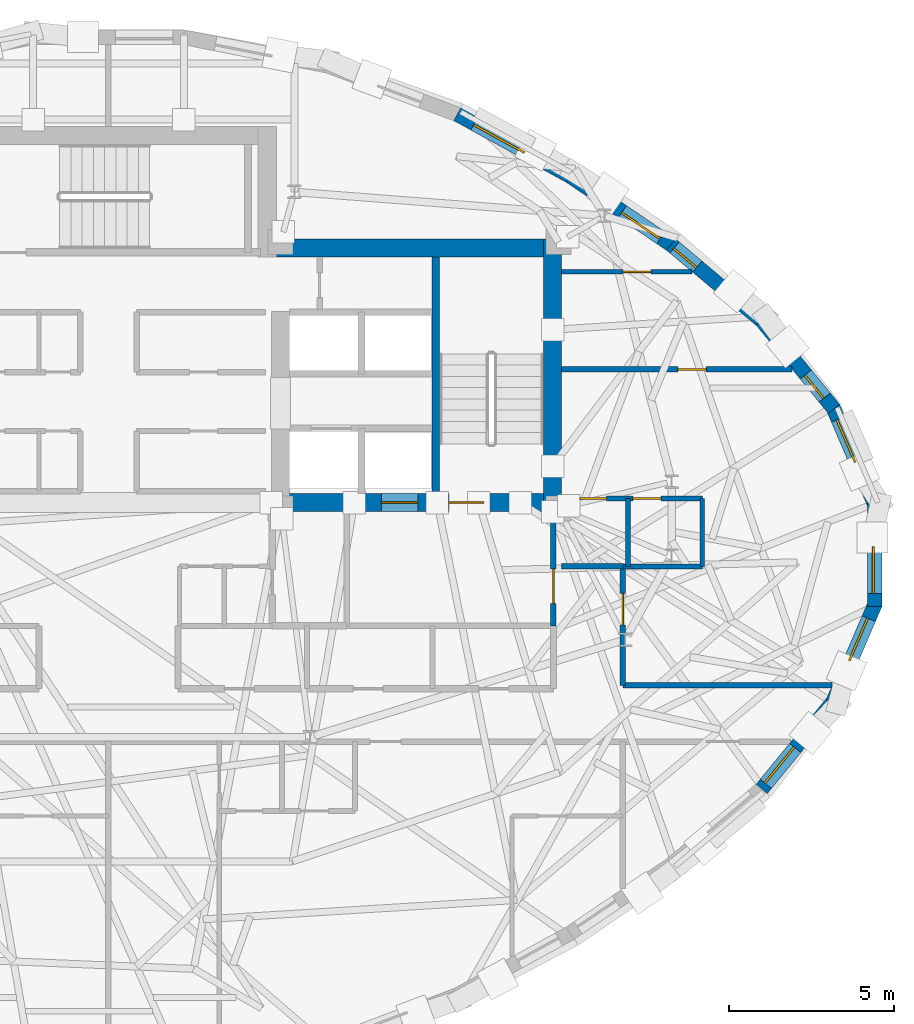
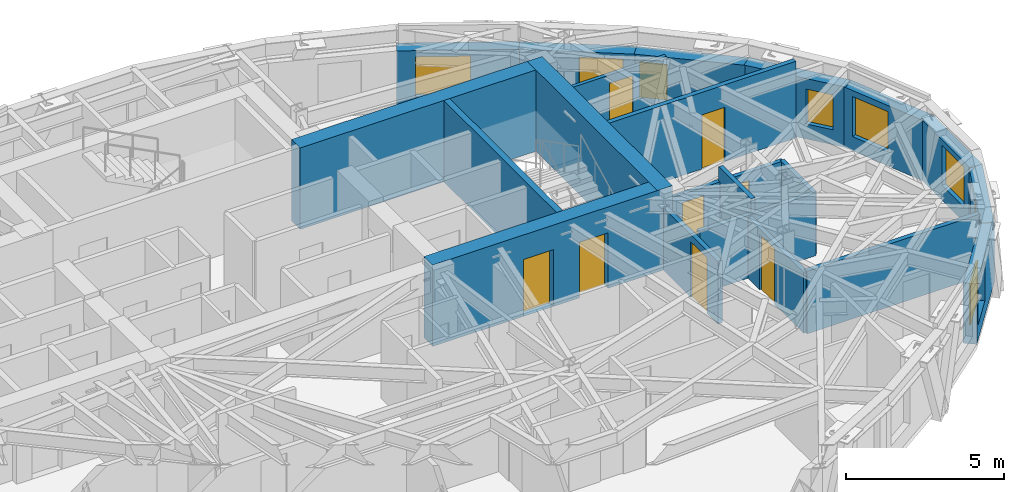
# One storey, part 10 of 14: 22 walls, 8 doors, 8 windows, 16 openings.
"""IFC4 building model written with IfcOpenShell, lengths in metres."""

from ifc_helpers import new_model, si_unit, direction, frame, frame_2d, origin, place, context, subcontext, project, spatial, rectangle, extrude, material, layer, layer_set, type_object, element, fill, save


model = new_model("IFC4")

# Units and contexts
model_context = context("Model", 3, precision=1e-05, world=origin(), true_north=direction((0.0, 1.0)))
body_context = subcontext(model_context, "Body", "Model", "MODEL_VIEW")
ifc_project = project(units=[si_unit("LENGTHUNIT", "METRE"), si_unit("AREAUNIT", "SQUARE_METRE"), si_unit("VOLUMEUNIT", "CUBIC_METRE"), si_unit("PLANEANGLEUNIT", "RADIAN"), si_unit("MASSUNIT", "GRAM", prefix="KILO")], contexts=[model_context])

# Site, building, storey
site_placement = place(None, origin())
site = spatial("IfcSite", under=ifc_project, at=site_placement, CompositionType="ELEMENT")
building_placement = place(site_placement, origin())
building = spatial("IfcBuilding", under=site, at=building_placement, Name="Keldmark Tower", CompositionType="ELEMENT")
storey_placement = place(building_placement, frame((0.0, 0.0, 216.300048828125)))
storey = spatial("IfcBuildingStorey", under=building, at=storey_placement, Name="L60", CompositionType="ELEMENT", Elevation=216.300048828125)

# Walls
ifc_material_1 = material(Name="Concrete C50/60", Category="concrete")
ifc_layer_1 = layer(ifc_material_1, 0.550048828125)
ifc_layer_set_1 = layer_set([ifc_layer_1], Name="Concrete C50/60")
wall_type_1 = type_object("IfcWallType", Name="High-Rise Core Shear Wall 550 mm", PredefinedType="SHEAR", material=ifc_layer_set_1)
wall_1_placement = place(storey_placement, frame((13.425048828125, 1.300048828125, 0.0), z_axis=(0.0, 0.0, 1.0), x_axis=(0.0, 1.0, 0.0)))
element("IfcWall", 1, at=wall_1_placement, inside=storey, type_object=wall_type_1, Name="L60 East Core Outer Shear Wall", PredefinedType="SHEAR", context=body_context, shape_type="SweptSolid", body=[
    extrude(rectangle(XDim=8.25, YDim=0.550048828125, at=frame_2d((4.125, 0.0))), origin(), (0.0, 0.0, 1.0), 3.14990234375),
])
wall_2_placement = place(storey_placement, frame((4.52490234375, 9.27490234375, 0.0), z_axis=(0.0, 0.0, 1.0), x_axis=(1.0, 0.0, 0.0)))
element("IfcWall", 2, at=wall_2_placement, inside=storey, type_object=wall_type_1, Name="L60 East Core North Shear Wall", PredefinedType="SHEAR", context=body_context, shape_type="SweptSolid", body=[
    extrude(rectangle(XDim=9.175048828125, YDim=0.550048828125, at=frame_2d((4.58740234375, 0.0))), origin(), (0.0, 0.0, 1.0), 3.14990234375),
])

# Wall, openings, doors
wall_3_placement = place(storey_placement, frame((13.699951171875, 1.574951171875, 0.0), z_axis=(0.0, 0.0, 1.0), x_axis=(-1.0, 0.0, 0.0)))
wall_3 = element("IfcWall", 3, at=wall_3_placement, inside=storey, type_object=wall_type_1, Name="L60 East Core South Shear Wall", PredefinedType="SHEAR", context=body_context, shape_type="SweptSolid", body=[
    extrude(rectangle(XDim=8.77490234375, YDim=0.550048828125, at=frame_2d((4.387451171875, 0.0))), origin(), (0.0, 0.0, 1.0), 3.14990234375),
])
opening_1_placement = place(wall_3_placement, frame((2.35009765625, 0.0, 0.0)))
opening_1 = element("IfcOpeningElement", 4, at=opening_1_placement, cuts=wall_3, Name="Opening D-ST105", PredefinedType="OPENING", context=body_context, shape_type="SweptSolid", body=[
    extrude(rectangle(XDim=1.050048828125, YDim=2.14990234375, at=frame_2d((0.52490234375, 1.074951171875))), frame((0.0, 0.284912109375, 0.0), z_axis=(0.0, -1.0, 0.0), x_axis=(1.0, 0.0, 0.0)), (0.0, 0.0, 1.0), 0.570068359375),
])
opening_2_placement = place(wall_3_placement, frame((4.35009765625, 0.0, 0.0)))
opening_2 = element("IfcOpeningElement", 5, at=opening_2_placement, cuts=wall_3, Name="Opening LD-110", PredefinedType="OPENING", context=body_context, shape_type="SweptSolid", body=[
    extrude(rectangle(XDim=1.10009765625, YDim=2.199951171875, at=frame_2d((0.550048828125, 1.10009765625))), frame((0.0, 0.284912109375, 0.0), z_axis=(0.0, -1.0, 0.0), x_axis=(1.0, 0.0, 0.0)), (0.0, 0.0, 1.0), 0.570068359375),
])
ifc_material_2 = material(Name="Brushed Bronze Hoistway Sliding Leaf", Category="metal")
door_type_1 = type_object("IfcDoorType", Name="Lift Landing Sliding Door 1100x2200", OperationType="SLIDING_TO_LEFT", PredefinedType="DOOR", material=ifc_material_2)
door_1_placement = place(opening_2_placement, origin())
door_1 = element("IfcDoor", 6, at=door_1_placement, inside=storey, type_object=door_type_1, Name="L60 Lift Landing Sliding Door 1100x2200 LD-EL-FS2-L60", OperationType="SLIDING_TO_LEFT", OverallHeight=2.199951171875, OverallWidth=1.10009765625, PredefinedType="DOOR", context=body_context, shape_type="SweptSolid", body=[
    extrude(rectangle(XDim=1.10009765625, YDim=2.199951171875, at=frame_2d((0.550048828125, 1.10009765625))), frame((0.0, 0.02490234375, 0.0), z_axis=(0.0, -1.0, 0.0), x_axis=(1.0, 0.0, 0.0)), (0.0, 0.0, 1.0), 0.050048828125),
])
fill(opening_2, door_1)
ifc_material_3 = material(Name="Hollow Metal Fire-Rated Door Assembly", Category="metal")
door_type_2 = type_object("IfcDoorType", Name="Stair Fire Door 1050x2150", OperationType="NOTDEFINED", PredefinedType="DOOR", material=ifc_material_3)
door_2_placement = place(opening_1_placement, origin())
door_2 = element("IfcDoor", 7, at=door_2_placement, inside=storey, type_object=door_type_2, Name="L60 Stair Fire Door 1050x2150 D-ST2-L60", OperationType="SINGLE_SWING_LEFT", OverallHeight=2.14990234375, OverallWidth=1.050048828125, PredefinedType="DOOR", context=body_context, shape_type="SweptSolid", body=[
    extrude(rectangle(XDim=1.050048828125, YDim=2.14990234375, at=frame_2d((0.52490234375, 1.074951171875))), frame((0.0, 0.02490234375, 0.0), z_axis=(0.0, -1.0, 0.0), x_axis=(1.0, 0.0, 0.0)), (0.0, 0.0, 1.0), 0.050048828125),
])
fill(opening_1, door_2)

# Wall, opening, door
ifc_material_4 = material(Name="Acoustic Gypsum Board Interior Partition", Category="gypsum")
ifc_layer_2 = layer(ifc_material_4, 0.1298828125)
ifc_layer_set_2 = layer_set([ifc_layer_2], Name="Acoustic Gypsum Board Interior Partition")
wall_type_2 = type_object("IfcWallType", Name="Interior Partition 130 mm", PredefinedType="PARTITIONING", material=ifc_layer_set_2)
wall_4_placement = place(storey_placement, frame((13.699951171875, 8.550048828125, 0.0), z_axis=(0.0, 0.0, 1.0), x_axis=(1.0, 0.0, 0.0)))
wall_4 = element("IfcWall", 8, at=wall_4_placement, inside=storey, type_object=wall_type_2, Name="L60 Interior Partition 130 mm UD-NDIV2", PredefinedType="PARTITIONING", context=body_context, shape_type="SweptSolid", body=[
    extrude(rectangle(XDim=3.935791015625, YDim=0.1298828125, at=frame_2d((1.9677734375, 0.0))), origin(), (0.0, 0.0, 1.0), 2.4228515625),
])
opening_3_placement = place(wall_4_placement, frame((1.85400390625, 0.0, 0.0)))
opening_3 = element("IfcOpeningElement", 9, at=opening_3_placement, cuts=wall_4, Name="Opening D-IN085", PredefinedType="OPENING", context=body_context, shape_type="SweptSolid", body=[
    extrude(rectangle(XDim=0.85009765625, YDim=2.10009765625, at=frame_2d((0.425048828125, 1.050048828125))), frame((0.0, 0.074951171875, 0.0), z_axis=(0.0, -1.0, 0.0), x_axis=(1.0, 0.0, 0.0)), (0.0, 0.0, 1.0), 0.14990234375),
])
ifc_material_5 = material(Name="Painted Architectural Wood", Category="wood")
door_type_3 = type_object("IfcDoorType", Name="Interior Door 850x2100", OperationType="NOTDEFINED", PredefinedType="DOOR", material=ifc_material_5)
door_3_placement = place(opening_3_placement, origin())
door_3 = element("IfcDoor", 10, at=door_3_placement, inside=storey, type_object=door_type_3, Name="L60 Interior Door 850x2100 D-UD-BR2-L60", OperationType="SINGLE_SWING_RIGHT", OverallHeight=2.10009765625, OverallWidth=0.85009765625, PredefinedType="DOOR", context=body_context, shape_type="SweptSolid", body=[
    extrude(rectangle(XDim=0.85009765625, YDim=2.10009765625, at=frame_2d((0.425048828125, 1.050048828125))), frame((0.0, 0.02490234375, 0.0), z_axis=(0.0, -1.0, 0.0), x_axis=(1.0, 0.0, 0.0)), (0.0, 0.0, 1.0), 0.050048828125),
])
fill(opening_3, door_3)

ifc_material_6 = material(Name="Type X Fire-Rated Gypsum Partition Assembly", Category="gypsum")
ifc_layer_3 = layer(ifc_material_6, 0.1650390625)
ifc_layer_set_3 = layer_set([ifc_layer_3], Name="Type X Fire-Rated Gypsum Partition Assembly")
wall_type_3 = type_object("IfcWallType", Name="Rated Partition 165 mm", PredefinedType="PARTITIONING", material=ifc_layer_set_3)
wall_5_placement = place(storey_placement, frame((13.449951171875, -2.14990234375, 0.0), z_axis=(0.0, 0.0, 1.0), x_axis=(0.0, 1.0, 0.0)))
wall_5 = element("IfcWall", 11, at=wall_5_placement, inside=storey, type_object=wall_type_3, Name="L60 Rated Partition 165 mm FSAE-E-E", PredefinedType="PARTITIONING", context=body_context, shape_type="SweptSolid", body=[
    extrude(rectangle(XDim=3.5, YDim=0.1650390625, at=frame_2d((1.75, 0.0))), origin(), (0.0, 0.0, 1.0), 2.4228515625),
])
opening_4_placement = place(wall_5_placement, frame((0.669921875, 0.0, 0.0)))
opening_4 = element("IfcOpeningElement", 12, at=opening_4_placement, cuts=wall_5, Name="Opening D-FL105", PredefinedType="OPENING", context=body_context, shape_type="SweptSolid", body=[
    extrude(rectangle(XDim=1.050048828125, YDim=2.14990234375, at=frame_2d((0.52490234375, 1.074951171875))), frame((0.0, 0.092529296875, 0.0), z_axis=(0.0, -1.0, 0.0), x_axis=(1.0, 0.0, 0.0)), (0.0, 0.0, 1.0), 0.18505859375),
])
ifc_material_7 = material(Name="Fire-Rated Mineral-Core Door and Vision Lite", Category="metal")
door_type_4 = type_object("IfcDoorType", Name="Fire Lobby Door 1050x2150", OperationType="NOTDEFINED", PredefinedType="DOOR", material=ifc_material_7)
door_4_placement = place(opening_4_placement, origin())
door_4 = element("IfcDoor", 13, at=door_4_placement, inside=storey, type_object=door_type_4, Name="L60 Fire Lobby Door 1050x2150 D-FSAEE-OUT-L60", OperationType="SINGLE_SWING_RIGHT", OverallHeight=2.14990234375, OverallWidth=1.050048828125, PredefinedType="DOOR", context=body_context, shape_type="SweptSolid", body=[
    extrude(rectangle(XDim=1.050048828125, YDim=2.14990234375, at=frame_2d((0.52490234375, 1.074951171875))), frame((0.0, 0.02490234375, 0.0), z_axis=(0.0, -1.0, 0.0), x_axis=(1.0, 0.0, 0.0)), (0.0, 0.0, 1.0), 0.050048828125),
])
fill(opening_4, door_4)

# Wall
wall_6_placement = place(storey_placement, frame((15.550048828125, -3.949951171875, 0.0), z_axis=(0.0, 0.0, 1.0), x_axis=(1.0, 0.0, 0.0)))
element("IfcWall", 14, at=wall_6_placement, inside=storey, type_object=wall_type_3, Name="L60 Rated Partition 165 mm RCOR-EN-OUT", PredefinedType="PARTITIONING", context=body_context, shape_type="SweptSolid", body=[
    extrude(rectangle(XDim=6.320556640625, YDim=0.1650390625, at=frame_2d((3.16015625, 0.0))), origin(), (0.0, 0.0, 1.0), 2.4228515625),
])

# Wall, opening, door
wall_7_placement = place(storey_placement, frame((15.550048828125, -3.949951171875, 0.0), z_axis=(0.0, 0.0, 1.0), x_axis=(0.0, 1.0, 0.0)))
wall_7 = element("IfcWall", 15, at=wall_7_placement, inside=storey, type_object=wall_type_3, Name="L60 Rated Partition 165 mm RCOR-VE", PredefinedType="PARTITIONING", context=body_context, shape_type="SweptSolid", body=[
    extrude(rectangle(XDim=3.599853515625, YDim=0.1650390625, at=frame_2d((1.7998046875, 0.0))), origin(), (0.0, 0.0, 1.0), 2.35693359375),
])
opening_5_placement = place(wall_7_placement, frame((1.830078125, 0.0, 0.0)))
opening_5 = element("IfcOpeningElement", 16, at=opening_5_placement, cuts=wall_7, Name="Opening D-AP095", PredefinedType="OPENING", context=body_context, shape_type="SweptSolid", body=[
    extrude(rectangle(XDim=0.949951171875, YDim=2.14990234375, at=frame_2d((0.47509765625, 1.074951171875))), frame((0.0, 0.092529296875, 0.0), z_axis=(0.0, -1.0, 0.0), x_axis=(1.0, 0.0, 0.0)), (0.0, 0.0, 1.0), 0.18505859375),
])
ifc_material_8 = material(Name="Solid-Core Walnut Fire-Rated Entry Assembly", Category="wood")
door_type_5 = type_object("IfcDoorType", Name="Apartment Entry Door 950x2150", OperationType="NOTDEFINED", PredefinedType="DOOR", material=ifc_material_8)
door_5_placement = place(opening_5_placement, origin())
door_5 = element("IfcDoor", 17, at=door_5_placement, inside=storey, type_object=door_type_5, Name="L60 Apartment Entry Door 950x2150 D-UD-ENT-L60", OperationType="SINGLE_SWING_RIGHT", OverallHeight=2.14990234375, OverallWidth=0.949951171875, PredefinedType="DOOR", context=body_context, shape_type="SweptSolid", body=[
    extrude(rectangle(XDim=0.949951171875, YDim=2.14990234375, at=frame_2d((0.47509765625, 1.074951171875))), frame((0.0, 0.02490234375, 0.0), z_axis=(0.0, -1.0, 0.0), x_axis=(1.0, 0.0, 0.0)), (0.0, 0.0, 1.0), 0.050048828125),
])
fill(opening_5, door_5)

# Wall
wall_8_placement = place(storey_placement, frame((13.699951171875, -0.35009765625, 0.0), z_axis=(0.0, 0.0, 1.0), x_axis=(1.0, 0.0, 0.0)))
element("IfcWall", 18, at=wall_8_placement, inside=storey, type_object=wall_type_3, Name="L60 Rated Partition 165 mm RCOR-VEN", PredefinedType="PARTITIONING", context=body_context, shape_type="SweptSolid", body=[
    extrude(rectangle(XDim=1.85009765625, YDim=0.1650390625, at=frame_2d((0.925048828125, 0.0))), origin(), (0.0, 0.0, 1.0), 2.4228515625),
])

# Wall, opening, door
wall_9_placement = place(storey_placement, frame((13.699951171875, 5.60009765625, 0.0), z_axis=(0.0, 0.0, 1.0), x_axis=(1.0, 0.0, 0.0)))
wall_9 = element("IfcWall", 19, at=wall_9_placement, inside=storey, type_object=wall_type_3, Name="L60 Rated Partition 165 mm RE-NDIV", PredefinedType="PARTITIONING", context=body_context, shape_type="SweptSolid", body=[
    extrude(rectangle(XDim=6.962646484375, YDim=0.1650390625, at=frame_2d((3.4814453125, 0.0))), origin(), (0.0, 0.0, 1.0), 2.969970703125),
])
opening_6_placement = place(wall_9_placement, frame((3.512939453125, 0.0, 0.0)))
opening_6 = element("IfcOpeningElement", 20, at=opening_6_placement, cuts=wall_9, Name="Opening D-BR085", PredefinedType="OPENING", context=body_context, shape_type="SweptSolid", body=[
    extrude(rectangle(XDim=0.85009765625, YDim=2.10009765625, at=frame_2d((0.425048828125, 1.050048828125))), frame((0.0, 0.092529296875, 0.0), z_axis=(0.0, -1.0, 0.0), x_axis=(1.0, 0.0, 0.0)), (0.0, 0.0, 1.0), 0.18505859375),
])
ifc_material_9 = material(Name="Solid-Core Stained Walnut Wood", Category="wood")
door_type_6 = type_object("IfcDoorType", Name="Bedroom Door 850x2100", OperationType="NOTDEFINED", PredefinedType="DOOR", material=ifc_material_9)
door_6_placement = place(opening_6_placement, origin())
door_6 = element("IfcDoor", 21, at=door_6_placement, inside=storey, type_object=door_type_6, Name="L60 Bedroom Door 850x2100 D-UD-BR1-L60", OperationType="SINGLE_SWING_LEFT", OverallHeight=2.10009765625, OverallWidth=0.85009765625, PredefinedType="DOOR", context=body_context, shape_type="SweptSolid", body=[
    extrude(rectangle(XDim=0.85009765625, YDim=2.10009765625, at=frame_2d((0.425048828125, 1.050048828125))), frame((0.0, 0.02490234375, 0.0), z_axis=(0.0, -1.0, 0.0), x_axis=(1.0, 0.0, 0.0)), (0.0, 0.0, 1.0), 0.050048828125),
])
fill(opening_6, door_6)

# Wall
ifc_material_10 = material(Name="Concrete C50/60", Category="concrete")
ifc_layer_4 = layer(ifc_material_10, 0.219970703125)
ifc_layer_set_4 = layer_set([ifc_layer_4], Name="Concrete C50/60")
wall_type_4 = type_object("IfcWallType", Name="Stair Core Shear Wall 220 mm", PredefinedType="SHEAR", material=ifc_layer_set_4)
wall_10_placement = place(storey_placement, frame((9.889892578125, 1.85009765625, 0.0), z_axis=(0.0, 0.0, 1.0), x_axis=(0.0, 1.0, 0.0)))
element("IfcWall", 22, at=wall_10_placement, inside=storey, type_object=wall_type_4, Name="L60 East Stair Core Shear Wall", PredefinedType="SHEAR", context=body_context, shape_type="SweptSolid", body=[
    extrude(rectangle(XDim=7.14990234375, YDim=0.219970703125, at=frame_2d((3.574951171875, 0.0))), origin(), (0.0, 0.0, 1.0), 3.14990234375),
])

# Wall, opening, window
ifc_material_11 = material(Name="Ironspot Manganese Brick and Kasota Buff Limestone Spandrel Assembly", Category="masonry")
ifc_layer_5 = layer(ifc_material_11, 0.43994140625)
ifc_layer_set_5 = layer_set([ifc_layer_5], Name="Ironspot Manganese Brick and Kasota Buff Limestone Spandrel Assembly")
wall_type_5 = type_object("IfcWallType", Name="Tower Brick Pier and Spandrel Wall 440 mm", PredefinedType="STANDARD", material=ifc_layer_set_5)
wall_11_placement = place(storey_placement, frame((21.8994140625, 4.460205078125, 0.0), z_axis=(0.0, 0.0, 1.0), x_axis=(0.394735370712, -0.918794855835, 0.0)))
wall_11 = element("IfcWall", 23, at=wall_11_placement, inside=storey, type_object=wall_type_5, Name="L60 Exterior Brick and Spandrel Wall 01", PredefinedType="STANDARD", context=body_context, shape_type="SweptSolid", body=[
    extrude(rectangle(XDim=3.2490234375, YDim=0.43994140625, at=frame_2d((1.62451171875, 0.0))), origin(), (0.0, 0.0, 1.0), 2.3359375),
])
opening_7_placement = place(wall_11_placement, frame((0.39990234375, 0.0, 0.550048828125)))
opening_7 = element("IfcOpeningElement", 24, at=opening_7_placement, cuts=wall_11, Name="Opening W-08", PredefinedType="OPENING", context=body_context, shape_type="SweptSolid", body=[
    extrude(rectangle(XDim=1.39990234375, YDim=1.550048828125, at=frame_2d((0.699951171875, 0.77490234375))), frame((0.0, 0.22998046875, 0.0), z_axis=(0.0, -1.0, 0.0), x_axis=(1.0, 0.0, 0.0)), (0.0, 0.0, 1.0), 0.4599609375),
])
ifc_material_12 = material(Name="Thermally Broken Anodized Aluminum and Triple Low-E Argon Glazing", Category="aluminium")
window_type_1 = type_object("IfcWindowType", Name="Residential Corner Punched Window 1400x1550", PartitioningType="SINGLE_PANEL", PredefinedType="WINDOW", material=ifc_material_12)
window_1_placement = place(opening_7_placement, origin())
window_1 = element("IfcWindow", 25, at=window_1_placement, inside=storey, type_object=window_type_1, Name="L60 Deep-Set Window 01", OverallHeight=1.550048828125, OverallWidth=1.39990234375, PartitioningType="SINGLE_PANEL", PredefinedType="WINDOW", context=body_context, shape_type="SweptSolid", body=[
    extrude(rectangle(XDim=1.39990234375, YDim=1.550048828125, at=frame_2d((0.699951171875, 0.77490234375))), frame((0.0, -0.010009765625, 0.0), z_axis=(0.0, -1.0, 0.0), x_axis=(1.0, 0.0, 0.0)), (0.0, 0.0, 1.0), 0.06005859375),
])
fill(opening_7, window_1)

wall_12_placement = place(storey_placement, frame((19.746826171875, 7.081298828125, 0.0), z_axis=(0.0, 0.0, 1.0), x_axis=(0.632725461905, -0.774376194015, 0.0)))
wall_12 = element("IfcWall", 26, at=wall_12_placement, inside=storey, type_object=wall_type_5, Name="L60 Exterior Brick and Spandrel Wall 02", PredefinedType="STANDARD", context=body_context, shape_type="SweptSolid", body=[
    extrude(rectangle(XDim=3.4521484375, YDim=0.43994140625, at=frame_2d((1.72607421875, 0.0))), origin(), (0.0, 0.0, 1.0), 2.3359375),
])
opening_8_placement = place(wall_12_placement, frame((2.107666015625, 0.0, 0.580078125)))
opening_8 = element("IfcOpeningElement", 27, at=opening_8_placement, cuts=wall_12, Name="Opening W-09", PredefinedType="OPENING", context=body_context, shape_type="SweptSolid", body=[
    extrude(rectangle(XDim=0.89990234375, YDim=1.35009765625, at=frame_2d((0.449951171875, 0.675048828125))), frame((0.0, 0.22998046875, 0.0), z_axis=(0.0, -1.0, 0.0), x_axis=(1.0, 0.0, 0.0)), (0.0, 0.0, 1.0), 0.4599609375),
])
ifc_material_13 = material(Name="Thermally Broken Anodized Aluminum and Triple Low-E Argon Glazing", Category="aluminium")
window_type_2 = type_object("IfcWindowType", Name="Corner Pier Deep-Set Window 900x1350", PartitioningType="SINGLE_PANEL", PredefinedType="WINDOW", material=ifc_material_13)
window_2_placement = place(opening_8_placement, origin())
window_2 = element("IfcWindow", 28, at=window_2_placement, inside=storey, type_object=window_type_2, Name="L60 Deep-Set Window 02", OverallHeight=1.35009765625, OverallWidth=0.89990234375, PartitioningType="SINGLE_PANEL", PredefinedType="WINDOW", context=body_context, shape_type="SweptSolid", body=[
    extrude(rectangle(XDim=0.89990234375, YDim=1.35009765625, at=frame_2d((0.449951171875, 0.675048828125))), frame((0.0, -0.010009765625, 0.0), z_axis=(0.0, -1.0, 0.0), x_axis=(1.0, 0.0, 0.0)), (0.0, 0.0, 1.0), 0.06005859375),
])
fill(opening_8, window_2)

wall_13_placement = place(storey_placement, frame((17.006103515625, 9.3759765625, 0.0), z_axis=(0.0, 0.0, 1.0), x_axis=(0.766063904081, -0.642764416302, 0.0)))
wall_13 = element("IfcWall", 29, at=wall_13_placement, inside=storey, type_object=wall_type_5, Name="L60 Exterior Brick and Spandrel Wall 03", PredefinedType="STANDARD", context=body_context, shape_type="SweptSolid", body=[
    extrude(rectangle(XDim=3.615478515625, YDim=0.43994140625, at=frame_2d((1.8076171875, 0.0))), origin(), (0.0, 0.0, 1.0), 2.3359375),
])
opening_9_placement = place(wall_13_placement, frame((0.139892578125, 0.0, 0.580078125)))
opening_9 = element("IfcOpeningElement", 30, at=opening_9_placement, cuts=wall_13, Name="Opening W-09", PredefinedType="OPENING", context=body_context, shape_type="SweptSolid", body=[
    extrude(rectangle(XDim=0.89990234375, YDim=1.35009765625, at=frame_2d((0.449951171875, 0.675048828125))), frame((0.0, 0.22998046875, 0.0), z_axis=(0.0, -1.0, 0.0), x_axis=(1.0, 0.0, 0.0)), (0.0, 0.0, 1.0), 0.4599609375),
])
window_3_placement = place(opening_9_placement, origin())
window_3 = element("IfcWindow", 31, at=window_3_placement, inside=storey, type_object=window_type_2, Name="L60 Pier Window RM02", OverallHeight=1.35009765625, OverallWidth=0.89990234375, PartitioningType="SINGLE_PANEL", PredefinedType="WINDOW", context=body_context, shape_type="SweptSolid", body=[
    extrude(rectangle(XDim=0.89990234375, YDim=1.35009765625, at=frame_2d((0.449951171875, 0.675048828125))), frame((0.0, -0.010009765625, 0.0), z_axis=(0.0, -1.0, 0.0), x_axis=(1.0, 0.0, 0.0)), (0.0, 0.0, 1.0), 0.06005859375),
])
fill(opening_9, window_3)

wall_14_placement = place(storey_placement, frame((13.94921875, 11.44775390625, 0.0), z_axis=(0.0, 0.0, 1.0), x_axis=(0.827595704154, -0.561324639105, 0.0)))
wall_14 = element("IfcWall", 32, at=wall_14_placement, inside=storey, type_object=wall_type_5, Name="L60 Exterior Brick and Spandrel Wall 04", PredefinedType="STANDARD", context=body_context, shape_type="SweptSolid", body=[
    extrude(rectangle(XDim=3.71533203125, YDim=0.43994140625, at=frame_2d((1.857666015625, 0.0))), origin(), (0.0, 0.0, 1.0), 2.3359375),
])
opening_10_placement = place(wall_14_placement, frame((1.9189453125, 0.0, 0.580078125)))
opening_10 = element("IfcOpeningElement", 33, at=opening_10_placement, cuts=wall_14, Name="Opening W-08", PredefinedType="OPENING", context=body_context, shape_type="SweptSolid", body=[
    extrude(rectangle(XDim=1.39990234375, YDim=1.550048828125, at=frame_2d((0.699951171875, 0.77490234375))), frame((0.0, 0.22998046875, 0.0), z_axis=(0.0, -1.0, 0.0), x_axis=(1.0, 0.0, 0.0)), (0.0, 0.0, 1.0), 0.4599609375),
])
window_4_placement = place(opening_10_placement, origin())
window_4 = element("IfcWindow", 34, at=window_4_placement, inside=storey, type_object=window_type_1, Name="L60 Deep-Set Window 04", OverallHeight=1.550048828125, OverallWidth=1.39990234375, PartitioningType="SINGLE_PANEL", PredefinedType="WINDOW", context=body_context, shape_type="SweptSolid", body=[
    extrude(rectangle(XDim=1.39990234375, YDim=1.550048828125, at=frame_2d((0.699951171875, 0.77490234375))), frame((0.0, -0.010009765625, 0.0), z_axis=(0.0, -1.0, 0.0), x_axis=(1.0, 0.0, 0.0)), (0.0, 0.0, 1.0), 0.06005859375),
])
fill(opening_10, window_4)

wall_15_placement = place(storey_placement, frame((10.540283203125, 13.3154296875, 0.0), z_axis=(0.0, 0.0, 1.0), x_axis=(0.87688122565, -0.480707100117, 0.0)))
wall_15 = element("IfcWall", 35, at=wall_15_placement, inside=storey, type_object=wall_type_5, Name="L60 Exterior Brick and Spandrel Wall 05", PredefinedType="STANDARD", context=body_context, shape_type="SweptSolid", body=[
    extrude(rectangle(XDim=3.90771484375, YDim=0.43994140625, at=frame_2d((1.953857421875, 0.0))), origin(), (0.0, 0.0, 1.0), 2.3359375),
])
opening_11_placement = place(wall_15_placement, frame((0.590576171875, 0.0, 0.550048828125)))
opening_11 = element("IfcOpeningElement", 36, at=opening_11_placement, cuts=wall_15, Name="Opening W-05", PredefinedType="OPENING", context=body_context, shape_type="SweptSolid", body=[
    extrude(rectangle(XDim=1.75, YDim=1.550048828125, at=frame_2d((0.875, 0.77490234375))), frame((0.0, 0.22998046875, 0.0), z_axis=(0.0, -1.0, 0.0), x_axis=(1.0, 0.0, 0.0)), (0.0, 0.0, 1.0), 0.4599609375),
])
ifc_material_14 = material(Name="Thermally Broken Anodized Aluminum and Triple Low-E Argon Glazing", Category="aluminium")
window_type_3 = type_object("IfcWindowType", Name="Residential Deep-Set Window 1750x1550", PartitioningType="DOUBLE_PANEL_VERTICAL", PredefinedType="WINDOW", material=ifc_material_14)
window_5_placement = place(opening_11_placement, origin())
window_5 = element("IfcWindow", 37, at=window_5_placement, inside=storey, type_object=window_type_3, Name="L60 Deep-Set Window 05", OverallHeight=1.550048828125, OverallWidth=1.75, PartitioningType="SINGLE_PANEL", PredefinedType="WINDOW", context=body_context, shape_type="SweptSolid", body=[
    extrude(rectangle(XDim=1.75, YDim=1.550048828125, at=frame_2d((0.875, 0.77490234375))), frame((0.0, -0.010009765625, 0.0), z_axis=(0.0, -1.0, 0.0), x_axis=(1.0, 0.0, 0.0)), (0.0, 0.0, 1.0), 0.06005859375),
])
fill(opening_11, window_5)

wall_16_placement = place(storey_placement, frame((21.93115234375, -4.407958984375, 0.0), z_axis=(0.0, 0.0, 1.0), x_axis=(-0.632725461905, -0.774376194015, 0.0)))
wall_16 = element("IfcWall", 38, at=wall_16_placement, inside=storey, type_object=wall_type_5, Name="L60 Exterior Brick and Spandrel Wall 30", PredefinedType="STANDARD", context=body_context, shape_type="SweptSolid", body=[
    extrude(rectangle(XDim=3.4521484375, YDim=0.43994140625, at=frame_2d((1.72607421875, 0.0))), origin(), (0.0, 0.0, 1.0), 2.3359375),
])
opening_12_placement = place(wall_16_placement, frame((1.85205078125, 0.0, 0.580078125)))
opening_12 = element("IfcOpeningElement", 39, at=opening_12_placement, cuts=wall_16, Name="Opening W-08", PredefinedType="OPENING", context=body_context, shape_type="SweptSolid", body=[
    extrude(rectangle(XDim=1.39990234375, YDim=1.550048828125, at=frame_2d((0.699951171875, 0.77490234375))), frame((0.0, 0.22998046875, 0.0), z_axis=(0.0, -1.0, 0.0), x_axis=(1.0, 0.0, 0.0)), (0.0, 0.0, 1.0), 0.4599609375),
])
window_6_placement = place(opening_12_placement, origin())
window_6 = element("IfcWindow", 40, at=window_6_placement, inside=storey, type_object=window_type_1, Name="L60 Deep-Set Window 30", OverallHeight=1.550048828125, OverallWidth=1.39990234375, PartitioningType="SINGLE_PANEL", PredefinedType="WINDOW", context=body_context, shape_type="SweptSolid", body=[
    extrude(rectangle(XDim=1.39990234375, YDim=1.550048828125, at=frame_2d((0.699951171875, 0.77490234375))), frame((0.0, -0.010009765625, 0.0), z_axis=(0.0, -1.0, 0.0), x_axis=(1.0, 0.0, 0.0)), (0.0, 0.0, 1.0), 0.06005859375),
])
fill(opening_12, window_6)

wall_17_placement = place(storey_placement, frame((23.181884765625, -1.47509765625, 0.0), z_axis=(0.0, 0.0, 1.0), x_axis=(-0.394735370712, -0.918794855835, 0.0)))
wall_17 = element("IfcWall", 41, at=wall_17_placement, inside=storey, type_object=wall_type_5, Name="L60 Exterior Brick and Spandrel Wall 31", PredefinedType="STANDARD", context=body_context, shape_type="SweptSolid", body=[
    extrude(rectangle(XDim=3.2490234375, YDim=0.43994140625, at=frame_2d((1.62451171875, 0.0))), origin(), (0.0, 0.0, 1.0), 2.3359375),
])
opening_13_placement = place(wall_17_placement, frame((0.499755859375, 0.0, 0.550048828125)))
opening_13 = element("IfcOpeningElement", 42, at=opening_13_placement, cuts=wall_17, Name="Opening W-08", PredefinedType="OPENING", context=body_context, shape_type="SweptSolid", body=[
    extrude(rectangle(XDim=1.39990234375, YDim=1.550048828125, at=frame_2d((0.699951171875, 0.77490234375))), frame((0.0, 0.22998046875, 0.0), z_axis=(0.0, -1.0, 0.0), x_axis=(1.0, 0.0, 0.0)), (0.0, 0.0, 1.0), 0.4599609375),
])
window_7_placement = place(opening_13_placement, origin())
window_7 = element("IfcWindow", 43, at=window_7_placement, inside=storey, type_object=window_type_1, Name="L60 Deep-Set Window 31", OverallHeight=1.550048828125, OverallWidth=1.39990234375, PartitioningType="SINGLE_PANEL", PredefinedType="WINDOW", context=body_context, shape_type="SweptSolid", body=[
    extrude(rectangle(XDim=1.39990234375, YDim=1.550048828125, at=frame_2d((0.699951171875, 0.77490234375))), frame((0.0, -0.010009765625, 0.0), z_axis=(0.0, -1.0, 0.0), x_axis=(1.0, 0.0, 0.0)), (0.0, 0.0, 1.0), 0.06005859375),
])
fill(opening_13, window_7)

wall_18_placement = place(storey_placement, frame((23.1640625, 1.56201171875, 0.0), z_axis=(0.0, 0.0, 1.0), x_axis=(0.0, -1.0, 0.0)))
wall_18 = element("IfcWall", 44, at=wall_18_placement, inside=storey, type_object=wall_type_5, Name="L60 Exterior Brick and Spandrel Wall 32", PredefinedType="STANDARD", context=body_context, shape_type="SweptSolid", body=[
    extrude(rectangle(XDim=3.1240234375, YDim=0.43994140625, at=frame_2d((1.56201171875, 0.0))), origin(), (0.0, 0.0, 1.0), 2.3359375),
])
opening_14_placement = place(wall_18_placement, frame((1.327880859375, 0.0, 0.580078125)))
opening_14 = element("IfcOpeningElement", 45, at=opening_14_placement, cuts=wall_18, Name="Opening W-08", PredefinedType="OPENING", context=body_context, shape_type="SweptSolid", body=[
    extrude(rectangle(XDim=1.39990234375, YDim=1.550048828125, at=frame_2d((0.699951171875, 0.77490234375))), frame((0.0, 0.22998046875, 0.0), z_axis=(0.0, -1.0, 0.0), x_axis=(1.0, 0.0, 0.0)), (0.0, 0.0, 1.0), 0.4599609375),
])
window_8_placement = place(opening_14_placement, origin())
window_8 = element("IfcWindow", 46, at=window_8_placement, inside=storey, type_object=window_type_1, Name="L60 Deep-Set Window 32", OverallHeight=1.550048828125, OverallWidth=1.39990234375, PartitioningType="SINGLE_PANEL", PredefinedType="WINDOW", context=body_context, shape_type="SweptSolid", body=[
    extrude(rectangle(XDim=1.39990234375, YDim=1.550048828125, at=frame_2d((0.699951171875, 0.77490234375))), frame((0.0, -0.010009765625, 0.0), z_axis=(0.0, -1.0, 0.0), x_axis=(1.0, 0.0, 0.0)), (0.0, 0.0, 1.0), 0.06005859375),
])
fill(opening_14, window_8)

# Wall, openings, doors
ifc_material_15 = material(Name="Moisture-Resistant Gypsum Plumbing Partition", Category="gypsum")
ifc_layer_6 = layer(ifc_material_15, 0.14990234375)
ifc_layer_set_6 = layer_set([ifc_layer_6], Name="Moisture-Resistant Gypsum Plumbing Partition")
wall_type_6 = type_object("IfcWallType", Name="Wet Wall 150 mm", PredefinedType="PLUMBINGWALL", material=ifc_layer_set_6)
wall_19_placement = place(storey_placement, frame((13.699951171875, 1.699951171875, 0.0), z_axis=(0.0, 0.0, 1.0), x_axis=(1.0, 0.0, 0.0)))
wall_19 = element("IfcWall", 47, at=wall_19_placement, inside=storey, type_object=wall_type_6, Name="L60 Wet Wall 150 mm UD-BK-N", PredefinedType="PLUMBINGWALL", context=body_context, shape_type="SweptSolid", body=[
    extrude(rectangle(XDim=4.25, YDim=0.14990234375, at=frame_2d((2.125, 0.0))), origin(), (0.0, 0.0, 1.0), 2.4228515625),
])
opening_15_placement = place(wall_19_placement, frame((0.550048828125, 0.0, 0.0)))
opening_15 = element("IfcOpeningElement", 48, at=opening_15_placement, cuts=wall_19, Name="Opening D-BT080", PredefinedType="OPENING", context=body_context, shape_type="SweptSolid", body=[
    extrude(rectangle(XDim=0.800048828125, YDim=2.10009765625, at=frame_2d((0.39990234375, 1.050048828125))), frame((0.0, 0.0849609375, 0.0), z_axis=(0.0, -1.0, 0.0), x_axis=(1.0, 0.0, 0.0)), (0.0, 0.0, 1.0), 0.169921875),
])
opening_16_placement = place(wall_19_placement, frame((2.14990234375, 0.0, 0.0)))
opening_16 = element("IfcOpeningElement", 49, at=opening_16_placement, cuts=wall_19, Name="Opening D-IN085", PredefinedType="OPENING", context=body_context, shape_type="SweptSolid", body=[
    extrude(rectangle(XDim=0.85009765625, YDim=2.10009765625, at=frame_2d((0.425048828125, 1.050048828125))), frame((0.0, 0.0849609375, 0.0), z_axis=(0.0, -1.0, 0.0), x_axis=(1.0, 0.0, 0.0)), (0.0, 0.0, 1.0), 0.169921875),
])
ifc_material_16 = material(Name="Moisture-Sealed Stained Wood", Category="wood")
door_type_7 = type_object("IfcDoorType", Name="Bathroom Door 800x2100", OperationType="NOTDEFINED", PredefinedType="DOOR", material=ifc_material_16)
door_7_placement = place(opening_15_placement, origin())
door_7 = element("IfcDoor", 50, at=door_7_placement, inside=storey, type_object=door_type_7, Name="L60 Bathroom Door 800x2100 D-UD-BATH-L60", OperationType="SINGLE_SWING_RIGHT", OverallHeight=2.10009765625, OverallWidth=0.800048828125, PredefinedType="DOOR", context=body_context, shape_type="SweptSolid", body=[
    extrude(rectangle(XDim=0.800048828125, YDim=2.10009765625, at=frame_2d((0.39990234375, 1.050048828125))), frame((0.0, 0.02490234375, 0.0), z_axis=(0.0, -1.0, 0.0), x_axis=(1.0, 0.0, 0.0)), (0.0, 0.0, 1.0), 0.050048828125),
])
fill(opening_15, door_7)
door_8_placement = place(opening_16_placement, origin())
door_8 = element("IfcDoor", 51, at=door_8_placement, inside=storey, type_object=door_type_3, Name="L60 Interior Door 850x2100 D-UD-KIT-L60", OperationType="SINGLE_SWING_LEFT", OverallHeight=2.10009765625, OverallWidth=0.85009765625, PredefinedType="DOOR", context=body_context, shape_type="SweptSolid", body=[
    extrude(rectangle(XDim=0.85009765625, YDim=2.10009765625, at=frame_2d((0.425048828125, 1.050048828125))), frame((0.0, 0.02490234375, 0.0), z_axis=(0.0, -1.0, 0.0), x_axis=(1.0, 0.0, 0.0)), (0.0, 0.0, 1.0), 0.050048828125),
])
fill(opening_16, door_8)

# Walls
wall_20_placement = place(storey_placement, frame((15.550048828125, -0.35009765625, 0.0), z_axis=(0.0, 0.0, 1.0), x_axis=(1.0, 0.0, 0.0)))
element("IfcWall", 52, at=wall_20_placement, inside=storey, type_object=wall_type_6, Name="L60 Wet Wall 150 mm UD-BK-S", PredefinedType="PLUMBINGWALL", context=body_context, shape_type="SweptSolid", body=[
    extrude(rectangle(XDim=2.39990234375, YDim=0.14990234375, at=frame_2d((1.199951171875, 0.0))), origin(), (0.0, 0.0, 1.0), 2.4228515625),
])
wall_21_placement = place(storey_placement, frame((15.699951171875, -0.35009765625, 0.0), z_axis=(0.0, 0.0, 1.0), x_axis=(0.0, 1.0, 0.0)))
element("IfcWall", 53, at=wall_21_placement, inside=storey, type_object=wall_type_6, Name="L60 Wet Wall 150 mm UD-BK-M", PredefinedType="PLUMBINGWALL", context=body_context, shape_type="SweptSolid", body=[
    extrude(rectangle(XDim=2.050048828125, YDim=0.14990234375, at=frame_2d((1.02490234375, 0.0))), origin(), (0.0, 0.0, 1.0), 2.969970703125),
])
wall_22_placement = place(storey_placement, frame((17.949951171875, -0.35009765625, 0.0), z_axis=(0.0, 0.0, 1.0), x_axis=(0.0, 1.0, 0.0)))
element("IfcWall", 54, at=wall_22_placement, inside=storey, type_object=wall_type_6, Name="L60 Wet Wall 150 mm UD-BK-OUT", PredefinedType="PLUMBINGWALL", context=body_context, shape_type="SweptSolid", body=[
    extrude(rectangle(XDim=2.050048828125, YDim=0.14990234375, at=frame_2d((1.02490234375, 0.0))), origin(), (0.0, 0.0, 1.0), 2.4228515625),
])

save(model, "model.ifc")
